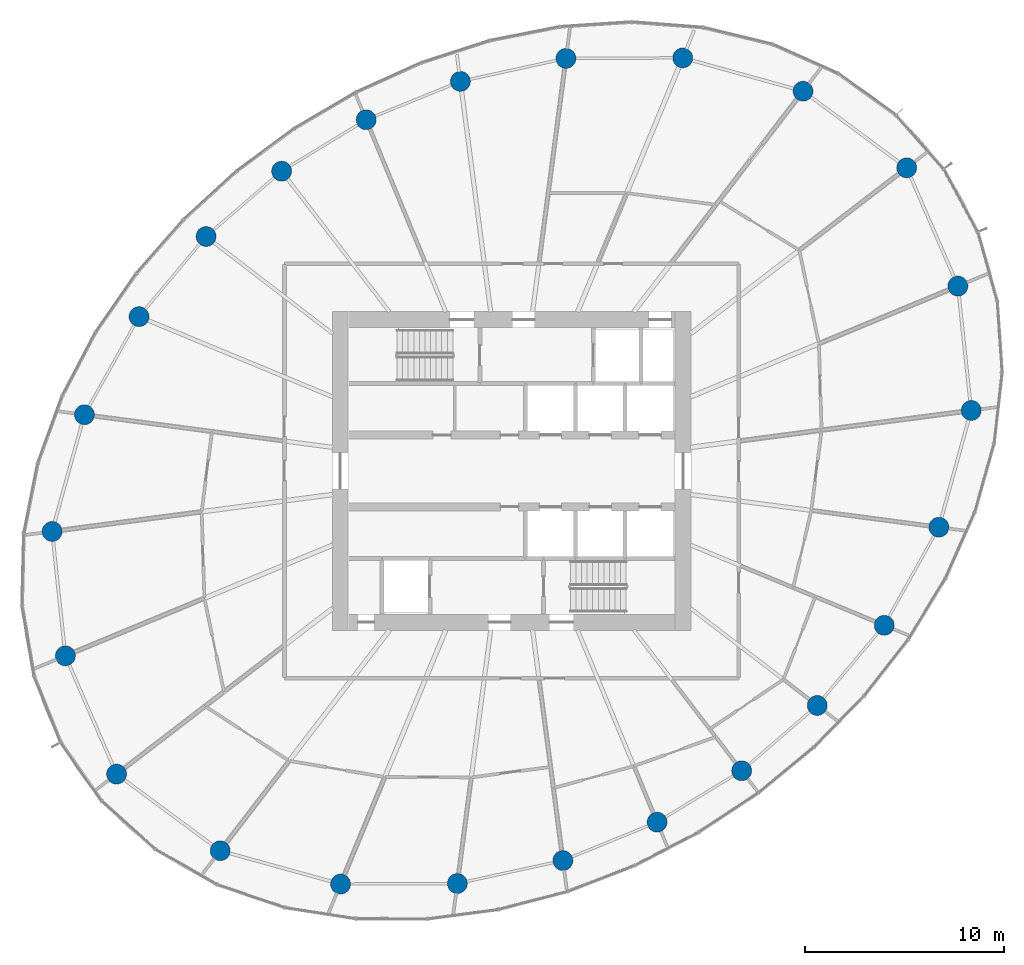
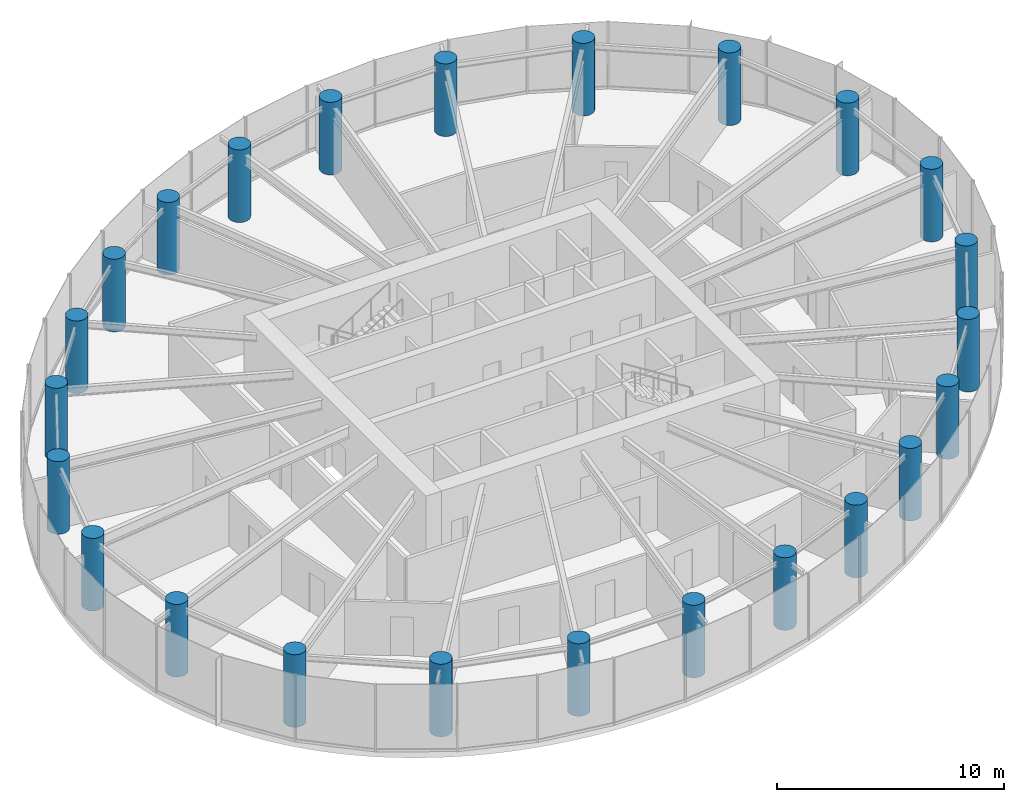
# One storey, part 1 of 14: 24 columns.
"""IFC4 building model written with IfcOpenShell, lengths in metres."""

from ifc_helpers import new_model, si_unit, direction, frame, origin, origin_2d, place, context, subcontext, project, spatial, circle, extrude, source, transform, mapped, material, material_profile, profile_set, type_object, element, save


model = new_model("IFC4")

# Units and contexts
model_context = context("Model", 3, precision=1e-05, world=origin(), true_north=direction((0.0, 1.0)))
body_context = subcontext(model_context, "Body", "Model", "MODEL_VIEW")
ifc_project = project(units=[si_unit("LENGTHUNIT", "METRE"), si_unit("AREAUNIT", "SQUARE_METRE"), si_unit("VOLUMEUNIT", "CUBIC_METRE"), si_unit("PLANEANGLEUNIT", "RADIAN"), si_unit("MASSUNIT", "GRAM", prefix="KILO")], contexts=[model_context])

# Site, building, storey
site_placement = place(None, origin())
site = spatial("IfcSite", under=ifc_project, at=site_placement, CompositionType="ELEMENT")
building_placement = place(site_placement, origin())
building = spatial("IfcBuilding", under=site, at=building_placement, Name="Spindrift Exchange Tower", CompositionType="ELEMENT")
storey_placement = place(building_placement, frame((0.0, 0.0, 164.300048828125)))
storey = spatial("IfcBuildingStorey", under=building, at=storey_placement, Name="L39", CompositionType="ELEMENT", Elevation=164.300048828125)

# Columns
ifc_material = material(Name="Concrete 50 MPa", Category="concrete")
ifc_material_profile = material_profile(ifc_material, circle(Radius=0.5, at=origin_2d()), Name="RC D1000")
ifc_profile_set = profile_set([ifc_material_profile], Name="Concrete 50 MPa")
column_type = type_object("IfcColumnType", Name="RC Perimeter Column D1000 Concrete 50 MPa", PredefinedType="COLUMN", material=ifc_profile_set)
shared_shape = source(origin(), body_context, "Body", "SweptSolid", [
    extrude(circle(Radius=0.5, at=origin_2d()), origin(), (0.0, 0.0, 1.0), 3.89990234375),
])
for number, where, z_axis, x_axis, name in (
    (1, (75.06201171875, 51.0361328125, 0.0), (0.0, 0.0, 1.0), (1.0, 0.0, 0.0), "Perimeter column P3-01 L39"),
    (2, (74.396728515625, 57.277099609375, 0.0), (0.0, 0.0, 1.0), (1.0, 0.0, 0.0), "Perimeter column P3-02 L39"),
    (3, (71.825927734375, 63.212890625, 0.0), (0.0, 0.0, 1.0), (1.0, 0.0, 0.0), "Perimeter column P3-03 L39"),
    (4, (66.625, 67.0595703125, 0.0), (0.0, 0.0, 1.0), (1.0, 0.0, 0.0), "Perimeter column P3-04 L39"),
    (5, (60.5869140625, 68.73095703125, 0.0), (0.0, 0.0, 1.0), (1.0, 0.0, 0.0), "Perimeter column P3-05 L39"),
    (6, (54.725830078125, 68.705322265625, 0.0), (0.0, 0.0, 1.0), (1.0, 0.0, 0.0), "Perimeter column P3-06 L39"),
    (7, (49.426025390625, 67.55126953125, 0.0), (0.0, 0.0, 1.0), (1.0, 0.0, 0.0), "Perimeter column P3-07 L39"),
    (8, (44.69921875, 65.625732421875, 0.0), (0.0, 0.0, 1.0), (1.0, 0.0, 0.0), "Perimeter column P3-08 L39"),
    (9, (40.4560546875, 63.04443359375, 0.0), (0.0, 0.0, 1.0), (1.0, 0.0, 0.0), "Perimeter column P3-09 L39"),
    (10, (36.663818359375, 59.76806640625, 0.0), (0.0, 0.0, 1.0), (1.0, 0.0, 0.0), "Perimeter column P3-10 L39"),
    (11, (33.30078125, 55.74560546875, 0.0), (0.0, 0.0, 1.0), (1.0, 0.0, 0.0), "Perimeter column P3-11 L39"),
    (12, (30.55908203125, 50.82275390625, 0.0), (0.0, 0.0, 1.0), (1.0, 0.0, 0.0), "Perimeter column P3-12 L39"),
    (13, (28.93798828125, 44.9638671875, 0.0), (0.0, 0.0, 1.0), (1.0, 0.0, 0.0), "Perimeter column P3-13 L39"),
    (14, (29.603271484375, 38.722900390625, 0.0), (0.0, 0.0, 1.0), (1.0, 0.0, 0.0), "Perimeter column P3-14 L39"),
    (15, (32.174072265625, 32.787109375, 0.0), (0.0, 0.0, 1.0), (1.0, 0.0, 0.0), "Perimeter column P3-15 L39"),
    (16, (37.375, 28.9404296875, 0.0), (0.0, 0.0, 1.0), (1.0, 0.0, 0.0), "Perimeter column P3-16 L39"),
    (17, (43.4130859375, 27.26904296875, 0.0), (0.0, 0.0, 1.0), (1.0, 0.0, 0.0), "Perimeter column P3-17 L39"),
    (18, (49.274169921875, 27.294677734375, 0.0), (0.0, 0.0, 1.0), (1.0, 0.0, 0.0), "Perimeter column P3-18 L39"),
    (19, (54.573974609375, 28.44873046875, 0.0), (0.0, 0.0, 1.0), (1.0, 0.0, 0.0), "Perimeter column P3-19 L39"),
    (20, (59.30078125, 30.374267578125, 0.0), (0.0, 0.0, 1.0), (1.0, 0.0, 0.0), "Perimeter column P3-20 L39"),
    (21, (63.5439453125, 32.95556640625, 0.0), (0.0, 0.0, 1.0), (1.0, 0.0, 0.0), "Perimeter column P3-21 L39"),
    (22, (67.336181640625, 36.23193359375, 0.0), (0.0, 0.0, 1.0), (1.0, 0.0, 0.0), "Perimeter column P3-22 L39"),
    (23, (70.69921875, 40.25439453125, 0.0), (0.0, 0.0, 1.0), (1.0, 0.0, 0.0), "Perimeter column P3-23 L39"),
    (24, (73.44091796875, 45.17724609375, 0.0), (0.0, 0.0, 1.0), (1.0, 0.0, 0.0), "Perimeter column P3-24 L39"),
):
    element("IfcColumn", number, at=place(storey_placement, frame(where, z_axis=z_axis, x_axis=x_axis)), inside=storey, type_object=column_type, Name=name, PredefinedType="COLUMN", context=body_context, shape_type="MappedRepresentation", body=[
        mapped(shared_shape, transform((0.0, 0.0, 0.0), scale=1.0)),
    ])

save(model, "model.ifc")
